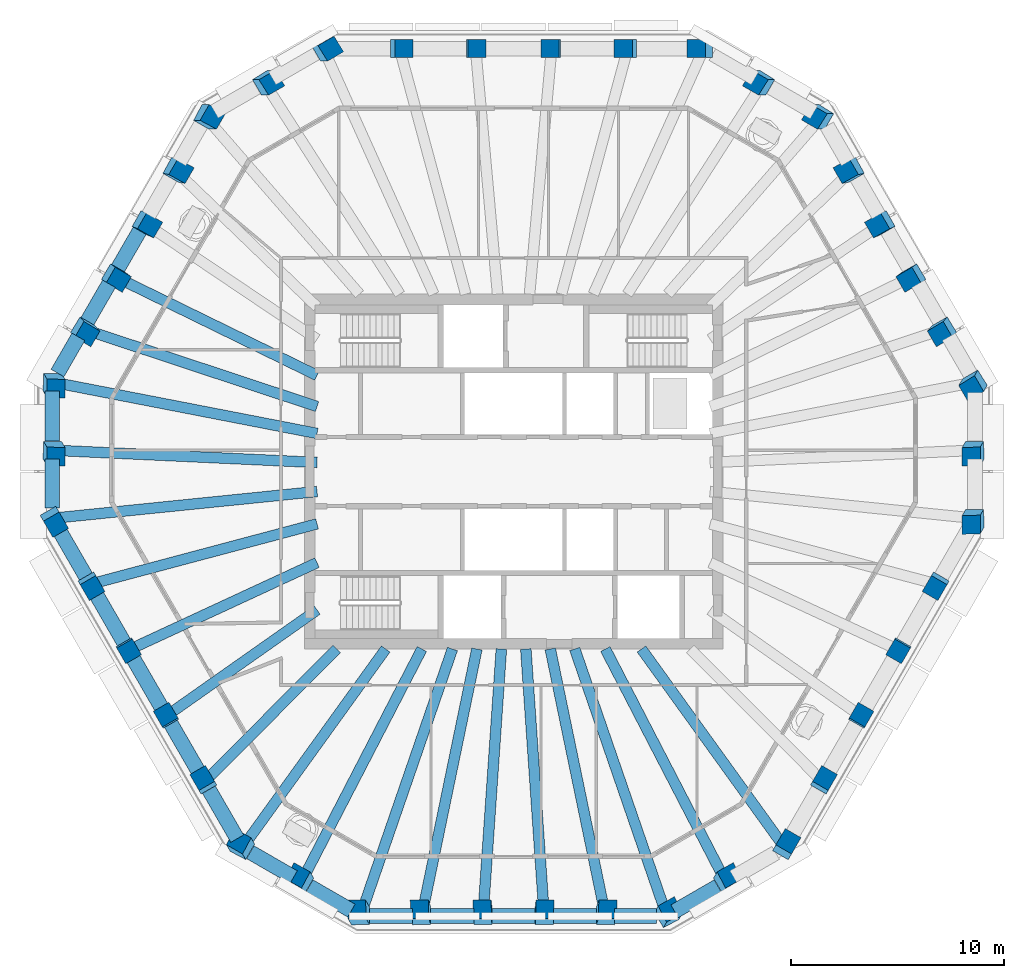
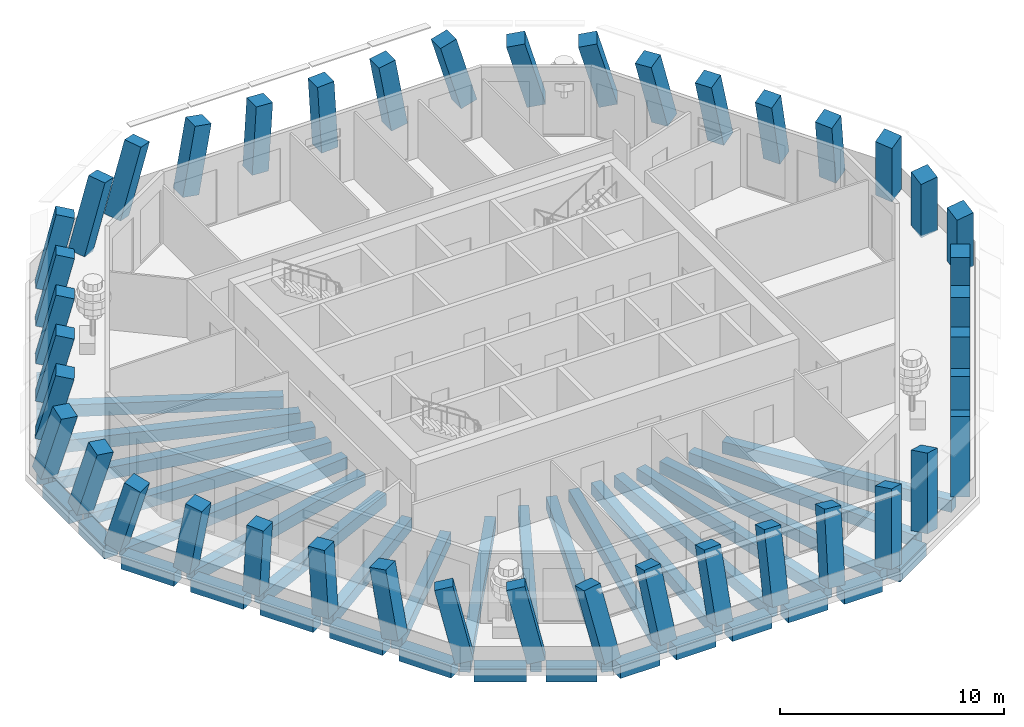
# One storey, part 1 of 11: 42 columns, 37 beams.
"""IFC4 building model written with IfcOpenShell, lengths in metres."""

from ifc_helpers import new_model, si_unit, direction, frame, origin, origin_2d, place, context, subcontext, project, spatial, rectangle, extrude, material, material_profile, profile_set, type_object, element, save


model = new_model("IFC4")

# Units and contexts
model_context = context("Model", 3, precision=1e-05, world=origin(), true_north=direction((0.0, 1.0)))
body_context = subcontext(model_context, "Body", "Model", "MODEL_VIEW")
ifc_project = project(units=[si_unit("LENGTHUNIT", "METRE"), si_unit("AREAUNIT", "SQUARE_METRE"), si_unit("VOLUMEUNIT", "CUBIC_METRE"), si_unit("PLANEANGLEUNIT", "RADIAN"), si_unit("MASSUNIT", "GRAM", prefix="KILO")], contexts=[model_context])

# Site, building, storey
site_placement = place(None, origin())
site = spatial("IfcSite", under=ifc_project, at=site_placement, CompositionType="ELEMENT")
building_placement = place(site_placement, origin())
building = spatial("IfcBuilding", under=site, at=building_placement, Name="Frailejon Research Tower", CompositionType="ELEMENT")
storey_placement = place(building_placement, frame((0.0, 0.0, 340.60009765625)))
storey = spatial("IfcBuildingStorey", under=building, at=storey_placement, Name="L76", CompositionType="ELEMENT", Elevation=340.60009765625)

# Columns
ifc_material_1 = material(Name="Concrete C50/60", Category="concrete")
ifc_material_profile_1 = material_profile(ifc_material_1, rectangle(XDim=0.85009765625, YDim=0.85009765625, at=origin_2d()), Name="Column 850")
ifc_profile_set_1 = profile_set([ifc_material_profile_1], Name="Concrete C50/60")
column_type = type_object("IfcColumnType", Name="Column 850", PredefinedType="COLUMN", material=ifc_profile_set_1)
for number, where, z_axis, x_axis, name in (
    (1, (21.7080078125, -2.200439453125, 0.0), (-0.139394569527, -0.241467367212, 0.960345075771), (-0.03470540323, 0.970408939672, 0.238960299613), "Column C01"),
    (2, (21.7080078125, 1.005615234375, 0.0), (-0.139394569527, -0.241467367212, 0.960345075771), (-0.034746856664, 0.970408938008, 0.238954282208), "Column C02"),
    (3, (21.7080078125, 4.211669921875, 0.0), (-0.139396731462, -0.241406874118, 0.960359970212), (-0.524507231238, 0.840607333971, 0.135172018012), "Column C03"),
):
    element("IfcColumn", number, at=place(storey_placement, frame(where, z_axis=z_axis, x_axis=x_axis)), inside=storey, type_object=column_type, Name=name, PredefinedType="COLUMN", context=body_context, shape_type="SweptSolid", body=[
        extrude(rectangle(XDim=0.85009765625, YDim=0.85009765625, at=origin_2d()), origin(), (0.0, 0.0, 1.0), 3.800537109375),
    ])
column_1_placement = place(storey_placement, frame((20.266845703125, 6.708251953125, 0.0), z_axis=(-0.168324221654, -0.194374398814, 0.966377539831), x_axis=(-0.515961120666, 0.852712582664, 0.081641737649)))
element("IfcColumn", 4, at=column_1_placement, inside=storey, type_object=column_type, Name="Column C04", PredefinedType="COLUMN", context=body_context, shape_type="SweptSolid", body=[
    extrude(rectangle(XDim=0.85009765625, YDim=0.85009765625, at=origin_2d()), origin(), (0.0, 0.0, 1.0), 3.77685546875),
])
for number, where, z_axis, x_axis, name in (
    (5, (18.825439453125, 9.20458984375, 0.0), (-0.197000056031, -0.146226177205, 0.969437405418), (-0.505734428726, 0.862257503303, 0.027288928126), "Column C05"),
    (6, (17.38427734375, 11.700927734375, 0.0), (-0.225143241166, -0.097462641553, 0.969438783245), (-0.49382176117, 0.869134278144, -0.027307045801), "Column C06"),
):
    element("IfcColumn", number, at=place(storey_placement, frame(where, z_axis=z_axis, x_axis=x_axis)), inside=storey, type_object=column_type, Name=name, PredefinedType="COLUMN", context=body_context, shape_type="SweptSolid", body=[
        extrude(rectangle(XDim=0.85009765625, YDim=0.85009765625, at=origin_2d()), origin(), (0.0, 0.0, 1.0), 3.764892578125),
    ])
column_2_placement = place(storey_placement, frame((15.94287109375, 14.197509765625, 0.0), z_axis=(-0.252547127831, -0.048609019741, 0.966362825974), x_axis=(-0.480492941598, 0.873189573072, -0.081648653102)))
element("IfcColumn", 7, at=column_2_placement, inside=storey, type_object=column_type, Name="Column C07", PredefinedType="COLUMN", context=body_context, shape_type="SweptSolid", body=[
    extrude(rectangle(XDim=0.85009765625, YDim=0.85009765625, at=origin_2d()), origin(), (0.0, 0.0, 1.0), 3.77685546875),
])
for number, where, z_axis, x_axis, name in (
    (8, (14.50146484375, 16.69384765625, 0.0), (-0.278791083821, 0.0, 0.960351774915), (-0.823063846999, 0.51524301755, -0.2389362606), "Column C08"),
    (9, (11.72509765625, 18.297119140625, 0.0), (-0.278850326975, 0.0, 0.960334574586), (-0.823049105558, 0.51524301755, -0.238987034597), "Column C09"),
    (10, (8.948486328125, 19.89990234375, 0.0), (-0.278791083821, 0.0, 0.960351774915), (-0.960351774915, 0.0, -0.278791083821), "Column C10"),
):
    element("IfcColumn", number, at=place(storey_placement, frame(where, z_axis=z_axis, x_axis=x_axis)), inside=storey, type_object=column_type, Name=name, PredefinedType="COLUMN", context=body_context, shape_type="SweptSolid", body=[
        extrude(rectangle(XDim=0.85009765625, YDim=0.85009765625, at=origin_2d()), origin(), (0.0, 0.0, 1.0), 3.800537109375),
    ])
column_3_placement = place(storey_placement, frame((5.369140625, 19.89990234375, 0.0), z_axis=(-0.171597020448, 0.0, 0.98516722569), x_axis=(-0.98516722569, 0.0, -0.171597020448)))
element("IfcColumn", 11, at=column_3_placement, inside=storey, type_object=column_type, Name="Column C11", PredefinedType="COLUMN", context=body_context, shape_type="SweptSolid", body=[
    extrude(rectangle(XDim=0.85009765625, YDim=0.85009765625, at=origin_2d()), origin(), (0.0, 0.0, 1.0), 3.704833984375),
])
for number, where, z_axis, x_axis, name in (
    (12, (1.789794921875, 19.89990234375, 0.0), (-0.058029139741, 0.0, 0.998314889672), (-0.998314889672, 0.0, -0.058029139741), "Column C12"),
    (13, (-1.789794921875, 19.89990234375, 0.0), (0.058029139741, 0.0, 0.998314889672), (-0.998314889672, 0.0, 0.058029139741), "Column C13"),
):
    element("IfcColumn", number, at=place(storey_placement, frame(where, z_axis=z_axis, x_axis=x_axis)), inside=storey, type_object=column_type, Name=name, PredefinedType="COLUMN", context=body_context, shape_type="SweptSolid", body=[
        extrude(rectangle(XDim=0.85009765625, YDim=0.85009765625, at=origin_2d()), origin(), (0.0, 0.0, 1.0), 3.656005859375),
    ])
column_4_placement = place(storey_placement, frame((-5.369140625, 19.89990234375, 0.0), z_axis=(0.171597020448, 0.0, 0.98516722569), x_axis=(-0.98516722569, 0.0, 0.171597020448)))
element("IfcColumn", 14, at=column_4_placement, inside=storey, type_object=column_type, Name="Column C14", PredefinedType="COLUMN", context=body_context, shape_type="SweptSolid", body=[
    extrude(rectangle(XDim=0.85009765625, YDim=0.85009765625, at=origin_2d()), origin(), (0.0, 0.0, 1.0), 3.704833984375),
])
for number, where, z_axis, x_axis, name in (
    (15, (-8.948486328125, 19.89990234375, 0.0), (0.278791083821, 0.0, 0.960351774915), (-0.823063846999, -0.51524301755, 0.2389362606), "Column C15"),
    (16, (-11.72509765625, 18.297119140625, 0.0), (0.278850326975, 0.0, 0.960334574586), (-0.823049105558, -0.51524301755, 0.238987034597), "Column C16"),
    (17, (-14.50146484375, 16.69384765625, 0.0), (0.278791083821, 0.0, 0.960351774915), (-0.46568453065, -0.874563855278, 0.13518868649), "Column C17"),
):
    element("IfcColumn", number, at=place(storey_placement, frame(where, z_axis=z_axis, x_axis=x_axis)), inside=storey, type_object=column_type, Name=name, PredefinedType="COLUMN", context=body_context, shape_type="SweptSolid", body=[
        extrude(rectangle(XDim=0.85009765625, YDim=0.85009765625, at=origin_2d()), origin(), (0.0, 0.0, 1.0), 3.800537109375),
    ])
column_5_placement = place(storey_placement, frame((-15.94287109375, 14.197509765625, 0.0), z_axis=(0.252547127831, -0.048609019741, 0.966362825974), x_axis=(-0.480492941598, -0.873189573072, 0.081648653102)))
element("IfcColumn", 18, at=column_5_placement, inside=storey, type_object=column_type, Name="Column C18", PredefinedType="COLUMN", context=body_context, shape_type="SweptSolid", body=[
    extrude(rectangle(XDim=0.85009765625, YDim=0.85009765625, at=origin_2d()), origin(), (0.0, 0.0, 1.0), 3.77685546875),
])
for number, where, z_axis, x_axis, name in (
    (19, (-17.38427734375, 11.700927734375, 0.0), (0.225143241166, -0.097462641553, 0.969438783245), (-0.49382176117, -0.869134278144, 0.027307045801), "Column C19"),
    (20, (-18.825439453125, 9.20458984375, 0.0), (0.197000056031, -0.146226177205, 0.969437405418), (-0.505734428726, -0.862257503303, -0.027288928126), "Column C20"),
):
    element("IfcColumn", number, at=place(storey_placement, frame(where, z_axis=z_axis, x_axis=x_axis)), inside=storey, type_object=column_type, Name=name, PredefinedType="COLUMN", context=body_context, shape_type="SweptSolid", body=[
        extrude(rectangle(XDim=0.85009765625, YDim=0.85009765625, at=origin_2d()), origin(), (0.0, 0.0, 1.0), 3.764892578125),
    ])
column_6_placement = place(storey_placement, frame((-20.266845703125, 6.708251953125, 0.0), z_axis=(0.168324221654, -0.194374398814, 0.966377539831), x_axis=(-0.515961120666, -0.852712582664, -0.081641737649)))
element("IfcColumn", 21, at=column_6_placement, inside=storey, type_object=column_type, Name="Column C21", PredefinedType="COLUMN", context=body_context, shape_type="SweptSolid", body=[
    extrude(rectangle(XDim=0.85009765625, YDim=0.85009765625, at=origin_2d()), origin(), (0.0, 0.0, 1.0), 3.77685546875),
])
for number, where, z_axis, x_axis, name in (
    (22, (-21.7080078125, 4.211669921875, 0.0), (0.139396731462, -0.241406874118, 0.960359970212), (-0.034628672675, -0.970423989238, -0.238910309823), "Column C22"),
    (23, (-21.7080078125, 1.005615234375, 0.0), (0.139394569527, -0.241467367212, 0.960345075771), (-0.034746856664, -0.970408938008, -0.238954282208), "Column C23"),
    (24, (-21.7080078125, -2.200439453125, 0.0), (0.139394569527, -0.241467367212, 0.960345075771), (0.480156655644, -0.831692401478, -0.278814159191), "Column C24"),
):
    element("IfcColumn", number, at=place(storey_placement, frame(where, z_axis=z_axis, x_axis=x_axis)), inside=storey, type_object=column_type, Name=name, PredefinedType="COLUMN", context=body_context, shape_type="SweptSolid", body=[
        extrude(rectangle(XDim=0.85009765625, YDim=0.85009765625, at=origin_2d()), origin(), (0.0, 0.0, 1.0), 3.800537109375),
    ])
column_7_placement = place(storey_placement, frame((-19.91845703125, -5.30029296875, 0.0), z_axis=(0.085798619576, -0.148598991662, 0.985168481305), x_axis=(0.492622189155, -0.85315902112, -0.171589811566)))
element("IfcColumn", 25, at=column_7_placement, inside=storey, type_object=column_type, Name="Column C25", PredefinedType="COLUMN", context=body_context, shape_type="SweptSolid", body=[
    extrude(rectangle(XDim=0.85009765625, YDim=0.85009765625, at=origin_2d()), origin(), (0.0, 0.0, 1.0), 3.704833984375),
])
for number, where, z_axis, x_axis, name in (
    (26, (-18.128662109375, -8.400146484375, 0.0), (0.028981362597, -0.050149777213, 0.998321130933), (0.49953101971, -0.864357472818, -0.0579216672), "Column C26"),
    (27, (-16.339111328125, -11.5, 0.0), (-0.028981265478, 0.050216386266, 0.998317785478), (0.499031153916, -0.864642300737, 0.057979299729), "Column C27"),
):
    element("IfcColumn", number, at=place(storey_placement, frame(where, z_axis=z_axis, x_axis=x_axis)), inside=storey, type_object=column_type, Name=name, PredefinedType="COLUMN", context=body_context, shape_type="SweptSolid", body=[
        extrude(rectangle(XDim=0.85009765625, YDim=0.85009765625, at=origin_2d()), origin(), (0.0, 0.0, 1.0), 3.656005859375),
    ])
column_8_placement = place(storey_placement, frame((-14.54931640625, -14.599609375, 0.0), z_axis=(-0.085799459569, 0.148534548285, 0.985178126383), x_axis=(0.492790890121, -0.853072728042, 0.171534425949)))
element("IfcColumn", 28, at=column_8_placement, inside=storey, type_object=column_type, Name="Column C28", PredefinedType="COLUMN", context=body_context, shape_type="SweptSolid", body=[
    extrude(rectangle(XDim=0.85009765625, YDim=0.85009765625, at=origin_2d()), origin(), (0.0, 0.0, 1.0), 3.704833984375),
])
for number, where, z_axis, x_axis, name in (
    (29, (-12.759765625, -17.69970703125, 0.0), (-0.139394569527, 0.241467367212, 0.960345075771), (0.857735421622, -0.455183738132, 0.238951273348), "Column C29"),
    (30, (-9.983154296875, -19.302490234375, 0.0), (-0.139396731462, 0.241406874118, 0.960359970212), (0.857770926129, -0.455136359145, 0.238914070058), "Column C30"),
    (31, (-7.20654296875, -20.905517578125, 0.0), (-0.139396731462, 0.241406874118, 0.960359970212), (0.990236612368, 0.034034784871, 0.13517797507), "Column C31"),
):
    element("IfcColumn", number, at=place(storey_placement, frame(where, z_axis=z_axis, x_axis=x_axis)), inside=storey, type_object=column_type, Name=name, PredefinedType="COLUMN", context=body_context, shape_type="SweptSolid", body=[
        extrude(rectangle(XDim=0.85009765625, YDim=0.85009765625, at=origin_2d()), origin(), (0.0, 0.0, 1.0), 3.800537109375),
    ])
column_9_placement = place(storey_placement, frame((-4.323974609375, -20.905517578125, 0.0), z_axis=(-0.084163007057, 0.242922104854, 0.966387830644), x_axis=(0.996451995946, 0.02060500287, 0.081601799193)))
element("IfcColumn", 32, at=column_9_placement, inside=storey, type_object=column_type, Name="Column C32", PredefinedType="COLUMN", context=body_context, shape_type="SweptSolid", body=[
    extrude(rectangle(XDim=0.85009765625, YDim=0.85009765625, at=origin_2d()), origin(), (0.0, 0.0, 1.0), 3.77685546875),
])
for number, where, z_axis, x_axis, name in (
    (33, (-1.44140625, -20.905517578125, 0.0), (-0.028078280528, 0.243690942785, 0.969446406238), (0.999605702584, 0.006629212228, 0.027285397302), "Column C33"),
    (34, (1.44140625, -20.905517578125, 0.0), (0.028078280528, 0.243690942785, 0.969446406238), (0.999605702584, -0.006629212228, -0.027285397302), "Column C34"),
):
    element("IfcColumn", number, at=place(storey_placement, frame(where, z_axis=z_axis, x_axis=x_axis)), inside=storey, type_object=column_type, Name=name, PredefinedType="COLUMN", context=body_context, shape_type="SweptSolid", body=[
        extrude(rectangle(XDim=0.85009765625, YDim=0.85009765625, at=origin_2d()), origin(), (0.0, 0.0, 1.0), 3.764892578125),
    ])
column_10_placement = place(storey_placement, frame((4.323974609375, -20.905517578125, 0.0), z_axis=(0.084163007057, 0.242922104854, 0.966387830644), x_axis=(0.996451995946, -0.02060500287, -0.081601799193)))
element("IfcColumn", 35, at=column_10_placement, inside=storey, type_object=column_type, Name="Column C35", PredefinedType="COLUMN", context=body_context, shape_type="SweptSolid", body=[
    extrude(rectangle(XDim=0.85009765625, YDim=0.85009765625, at=origin_2d()), origin(), (0.0, 0.0, 1.0), 3.77685546875),
])
for number, where, z_axis, x_axis, name in (
    (36, (7.20654296875, -20.905517578125, 0.0), (0.139396731462, 0.241406874118, 0.960359970212), (0.857770926129, 0.455136359145, -0.238914070058), "Column C36"),
    (37, (9.983154296875, -19.302490234375, 0.0), (0.139396731462, 0.241406874118, 0.960359970212), (0.857770926129, 0.455136359145, -0.238914070058), "Column C37"),
    (38, (12.759765625, -17.69970703125, 0.0), (0.139394569527, 0.241467367212, 0.960345075771), (0.480156655644, 0.831692401478, -0.278814159191), "Column C38"),
):
    element("IfcColumn", number, at=place(storey_placement, frame(where, z_axis=z_axis, x_axis=x_axis)), inside=storey, type_object=column_type, Name=name, PredefinedType="COLUMN", context=body_context, shape_type="SweptSolid", body=[
        extrude(rectangle(XDim=0.85009765625, YDim=0.85009765625, at=origin_2d()), origin(), (0.0, 0.0, 1.0), 3.800537109375),
    ])
column_11_placement = place(storey_placement, frame((14.54931640625, -14.599609375, 0.0), z_axis=(0.085799459569, 0.148534548285, 0.985178126383), x_axis=(0.492790890121, 0.853072728042, -0.171534425949)))
element("IfcColumn", 39, at=column_11_placement, inside=storey, type_object=column_type, Name="Column C39", PredefinedType="COLUMN", context=body_context, shape_type="SweptSolid", body=[
    extrude(rectangle(XDim=0.85009765625, YDim=0.85009765625, at=origin_2d()), origin(), (0.0, 0.0, 1.0), 3.704833984375),
])
for number, where, z_axis, x_axis, name in (
    (40, (16.339111328125, -11.5, 0.0), (0.028981265478, 0.050216386266, 0.998317785478), (0.499031153916, 0.864642300737, -0.057979299729), "Column C40"),
    (41, (18.128662109375, -8.400146484375, 0.0), (-0.028981362597, -0.050149777213, 0.998321130933), (0.49953101971, 0.864357472818, 0.0579216672), "Column C41"),
):
    element("IfcColumn", number, at=place(storey_placement, frame(where, z_axis=z_axis, x_axis=x_axis)), inside=storey, type_object=column_type, Name=name, PredefinedType="COLUMN", context=body_context, shape_type="SweptSolid", body=[
        extrude(rectangle(XDim=0.85009765625, YDim=0.85009765625, at=origin_2d()), origin(), (0.0, 0.0, 1.0), 3.656005859375),
    ])
column_12_placement = place(storey_placement, frame((19.91845703125, -5.30029296875, 0.0), z_axis=(-0.085798619576, -0.148598991662, 0.985168481305), x_axis=(0.492622189155, 0.85315902112, 0.171589811566)))
element("IfcColumn", 42, at=column_12_placement, inside=storey, type_object=column_type, Name="Column C42", PredefinedType="COLUMN", context=body_context, shape_type="SweptSolid", body=[
    extrude(rectangle(XDim=0.85009765625, YDim=0.85009765625, at=origin_2d()), origin(), (0.0, 0.0, 1.0), 3.704833984375),
])

# Beams
ifc_material_2 = material(Name="Concrete C60/75", Category="concrete")
ifc_material_profile_2 = material_profile(ifc_material_2, rectangle(XDim=0.5, YDim=0.64990234375, at=origin_2d()), Name="Girder 500x650")
ifc_profile_set_2 = profile_set([ifc_material_profile_2], Name="Concrete C60/75")
beam_type_1 = type_object("IfcBeamType", Name="Girder 500x650", PredefinedType="BEAM", material=ifc_profile_set_2)
beam_1_placement = place(storey_placement, frame((-18.577392578125, 9.08349609375, -0.625), z_axis=(0.898356524558, -0.439267065444, 0.0), x_axis=(0.439267065444, 0.898356524558, 0.0)))
element("IfcBeam", 43, at=beam_1_placement, inside=storey, type_object=beam_type_1, Name="Girder 500x650", PredefinedType="BEAM", context=body_context, shape_type="SweptSolid", body=[
    extrude(rectangle(XDim=0.5, YDim=0.64990234375, at=origin_2d()), origin(), (0.0, 0.0, 1.0), 10.3828125),
])
beam_2_placement = place(storey_placement, frame((-19.997314453125, 6.618896484375, -0.625), z_axis=(0.949351863334, -0.314214957606, 0.0), x_axis=(0.314214957606, 0.949351863334, 0.0)))
element("IfcBeam", 44, at=beam_2_placement, inside=storey, type_object=beam_type_1, Name="Girder 500x650", PredefinedType="BEAM", context=body_context, shape_type="SweptSolid", body=[
    extrude(rectangle(XDim=0.5, YDim=0.64990234375, at=origin_2d()), origin(), (0.0, 0.0, 1.0), 11.32080078125),
])
beam_3_placement = place(storey_placement, frame((-21.430419921875, 4.15771484375, -0.625), z_axis=(0.981696509787, -0.190451995715, 0.0), x_axis=(0.190451995715, 0.981696509787, 0.0)))
element("IfcBeam", 45, at=beam_3_placement, inside=storey, type_object=beam_type_1, Name="Girder 500x650", PredefinedType="BEAM", context=body_context, shape_type="SweptSolid", body=[
    extrude(rectangle(XDim=0.5, YDim=0.64990234375, at=origin_2d()), origin(), (0.0, 0.0, 1.0), 12.407470703125),
])
beam_4_placement = place(storey_placement, frame((-21.432861328125, 0.992919921875, -0.625), z_axis=(0.998928410003, -0.046282088213, 0.0), x_axis=(0.046282088213, 0.998928410003, 0.0)))
element("IfcBeam", 46, at=beam_4_placement, inside=storey, type_object=beam_type_1, Name="Girder 500x650", PredefinedType="BEAM", context=body_context, shape_type="SweptSolid", body=[
    extrude(rectangle(XDim=0.5, YDim=0.64990234375, at=origin_2d()), origin(), (0.0, 0.0, 1.0), 12.196044921875),
])
beam_5_placement = place(storey_placement, frame((-21.393798828125, -2.16845703125, -0.625), z_axis=(0.994901815135, 0.100848293197, 0.0), x_axis=(-0.100848293197, 0.994901815135, 0.0)))
element("IfcBeam", 47, at=beam_5_placement, inside=storey, type_object=beam_type_1, Name="Girder 500x650", PredefinedType="BEAM", context=body_context, shape_type="SweptSolid", body=[
    extrude(rectangle(XDim=0.5, YDim=0.64990234375, at=origin_2d()), origin(), (0.0, 0.0, 1.0), 12.2060546875),
])
beam_6_placement = place(storey_placement, frame((-19.637939453125, -5.2255859375, -0.625), z_axis=(0.966372769398, 0.257145232441, 0.0), x_axis=(-0.257145232441, 0.966372769398, 0.0)))
element("IfcBeam", 48, at=beam_6_placement, inside=storey, type_object=beam_type_1, Name="Girder 500x650", PredefinedType="BEAM", context=body_context, shape_type="SweptSolid", body=[
    extrude(rectangle(XDim=0.5, YDim=0.64990234375, at=origin_2d()), origin(), (0.0, 0.0, 1.0), 10.74951171875),
])
beam_7_placement = place(storey_placement, frame((-17.877685546875, -8.28369140625, -0.625), z_axis=(0.907336166903, 0.420405851803, 0.0), x_axis=(-0.420405851803, 0.907336166903, 0.0)))
element("IfcBeam", 49, at=beam_7_placement, inside=storey, type_object=beam_type_1, Name="Girder 500x650", PredefinedType="BEAM", context=body_context, shape_type="SweptSolid", body=[
    extrude(rectangle(XDim=0.5, YDim=0.64990234375, at=origin_2d()), origin(), (0.0, 0.0, 1.0), 9.5087890625),
])
beam_8_placement = place(storey_placement, frame((-16.11279296875, -11.340576171875, -0.625), z_axis=(0.817766863373, 0.575549613126, 0.0), x_axis=(-0.575549613126, 0.817766863373, 0.0)))
element("IfcBeam", 50, at=beam_8_placement, inside=storey, type_object=beam_type_1, Name="Girder 500x650", PredefinedType="BEAM", context=body_context, shape_type="SweptSolid", body=[
    extrude(rectangle(XDim=0.5, YDim=0.64990234375, at=origin_2d()), origin(), (0.0, 0.0, 1.0), 8.39208984375),
])
beam_9_placement = place(storey_placement, frame((-14.344482421875, -14.39404296875, -0.625), z_axis=(0.705889720306, 0.708321750877, 0.0), x_axis=(-0.708321750877, 0.705889720306, 0.0)))
element("IfcBeam", 51, at=beam_9_placement, inside=storey, type_object=beam_type_1, Name="Girder 500x650", PredefinedType="BEAM", context=body_context, shape_type="SweptSolid", body=[
    extrude(rectangle(XDim=0.5, YDim=0.64990234375, at=origin_2d()), origin(), (0.0, 0.0, 1.0), 8.53271484375),
])
beam_10_placement = place(storey_placement, frame((-12.59765625, -17.474853515625, -0.625), z_axis=(0.584790615226, 0.811184280139, 0.0), x_axis=(-0.811184280139, 0.584790615226, 0.0)))
element("IfcBeam", 52, at=beam_10_placement, inside=storey, type_object=beam_type_1, Name="Girder 500x650", PredefinedType="BEAM", context=body_context, shape_type="SweptSolid", body=[
    extrude(rectangle(XDim=0.5, YDim=0.64990234375, at=origin_2d()), origin(), (0.0, 0.0, 1.0), 11.248779296875),
])
beam_11_placement = place(storey_placement, frame((-9.856689453125, -19.057861328125, -0.625), z_axis=(0.459395922354, 0.888231606353, 0.0), x_axis=(-0.888231606353, 0.459395922354, 0.0)))
element("IfcBeam", 53, at=beam_11_placement, inside=storey, type_object=beam_type_1, Name="Girder 500x650", PredefinedType="BEAM", context=body_context, shape_type="SweptSolid", body=[
    extrude(rectangle(XDim=0.5, YDim=0.64990234375, at=origin_2d()), origin(), (0.0, 0.0, 1.0), 12.05517578125),
])
beam_12_placement = place(storey_placement, frame((-7.10888671875, -20.622314453125, -0.625), z_axis=(0.325899101885, 0.945404556468, 0.0), x_axis=(-0.945404556468, 0.325899101885, 0.0)))
element("IfcBeam", 54, at=beam_12_placement, inside=storey, type_object=beam_type_1, Name="Girder 500x650", PredefinedType="BEAM", context=body_context, shape_type="SweptSolid", body=[
    extrude(rectangle(XDim=0.5, YDim=0.64990234375, at=origin_2d()), origin(), (0.0, 0.0, 1.0), 12.98095703125),
])
beam_13_placement = place(storey_placement, frame((-4.2666015625, -20.62744140625, -0.625), z_axis=(0.202560528958, 0.979269744303, 0.0), x_axis=(-0.979269744303, 0.202560528958, 0.0)))
element("IfcBeam", 55, at=beam_13_placement, inside=storey, type_object=beam_type_1, Name="Girder 500x650", PredefinedType="BEAM", context=body_context, shape_type="SweptSolid", body=[
    extrude(rectangle(XDim=0.5, YDim=0.64990234375, at=origin_2d()), origin(), (0.0, 0.0, 1.0), 12.537353515625),
])
for number, where, z_axis, x_axis, name in (
    (56, (-1.42236328125, -20.630126953125, -0.625), (0.068784393553, 0.997631548821, 0.0), (-0.997631548821, 0.068784393553, 0.0), "Girder 500x650"),
    (57, (1.42236328125, -20.630126953125, -0.625), (-0.068784393553, 0.997631548821, 0.0), (-0.997631548821, -0.068784393553, 0.0), "Girder 500x650"),
):
    element("IfcBeam", number, at=place(storey_placement, frame(where, z_axis=z_axis, x_axis=x_axis)), inside=storey, type_object=beam_type_1, Name=name, PredefinedType="BEAM", context=body_context, shape_type="SweptSolid", body=[
        extrude(rectangle(XDim=0.5, YDim=0.64990234375, at=origin_2d()), origin(), (0.0, 0.0, 1.0), 12.30908203125),
    ])
beam_14_placement = place(storey_placement, frame((4.2666015625, -20.62744140625, -0.625), z_axis=(-0.202560528958, 0.979269744303, 0.0), x_axis=(-0.979269744303, -0.202560528958, 0.0)))
element("IfcBeam", 58, at=beam_14_placement, inside=storey, type_object=beam_type_1, Name="Girder 500x650", PredefinedType="BEAM", context=body_context, shape_type="SweptSolid", body=[
    extrude(rectangle(XDim=0.5, YDim=0.64990234375, at=origin_2d()), origin(), (0.0, 0.0, 1.0), 12.537353515625),
])
beam_15_placement = place(storey_placement, frame((7.114501953125, -20.63818359375, -0.625), z_axis=(-0.325909061574, 0.945401123113, 0.0), x_axis=(-0.945401123113, -0.325909061574, 0.0)))
element("IfcBeam", 59, at=beam_15_placement, inside=storey, type_object=beam_type_1, Name="Girder 500x650", PredefinedType="BEAM", context=body_context, shape_type="SweptSolid", body=[
    extrude(rectangle(XDim=0.5, YDim=0.64990234375, at=origin_2d()), origin(), (0.0, 0.0, 1.0), 12.997802734375),
])
beam_16_placement = place(storey_placement, frame((9.856689453125, -19.057861328125, -0.625), z_axis=(-0.459395922354, 0.888231606353, 0.0), x_axis=(-0.888231606353, -0.459395922354, 0.0)))
element("IfcBeam", 60, at=beam_16_placement, inside=storey, type_object=beam_type_1, Name="Girder 500x650", PredefinedType="BEAM", context=body_context, shape_type="SweptSolid", body=[
    extrude(rectangle(XDim=0.5, YDim=0.64990234375, at=origin_2d()), origin(), (0.0, 0.0, 1.0), 12.05517578125),
])
beam_17_placement = place(storey_placement, frame((12.574951171875, -17.443359375, -0.625), z_axis=(-0.584790577265, 0.811184307505, 0.0), x_axis=(-0.811184307505, -0.584790577265, 0.0)))
element("IfcBeam", 61, at=beam_17_placement, inside=storey, type_object=beam_type_1, Name="Girder 500x650", PredefinedType="BEAM", context=body_context, shape_type="SweptSolid", body=[
    extrude(rectangle(XDim=0.5, YDim=0.64990234375, at=origin_2d()), origin(), (0.0, 0.0, 1.0), 11.2099609375),
])
ifc_material_3 = material(Name="Concrete C60/75", Category="concrete")
ifc_material_profile_3 = material_profile(ifc_material_3, rectangle(XDim=0.699951171875, YDim=0.699951171875, at=origin_2d()), Name="Spandrel 700x700")
ifc_profile_set_3 = profile_set([ifc_material_profile_3], Name="Concrete C60/75")
beam_type_2 = type_object("IfcBeamType", Name="Spandrel 700x700", PredefinedType="BEAM", material=ifc_profile_set_3)
beam_18_placement = place(storey_placement, frame((-17.5966796875, 11.3330078125, -0.7001953125), z_axis=(-0.50002743572, -0.866009563185, 0.0), x_axis=(0.866009563185, -0.50002743572, 0.0)))
element("IfcBeam", 62, at=beam_18_placement, inside=storey, type_object=beam_type_2, Name="Spandrel 700x700", PredefinedType="BEAM", context=body_context, shape_type="SweptSolid", body=[
    extrude(rectangle(XDim=0.699951171875, YDim=0.699951171875, at=origin_2d()), origin(), (0.0, 0.0, 1.0), 2.03271484375),
])
beam_19_placement = place(storey_placement, frame((-19.0380859375, 8.83642578125, -0.7001953125), z_axis=(-0.499989360119, -0.866031546636, 0.0), x_axis=(0.866031546636, -0.499989360119, 0.0)))
element("IfcBeam", 63, at=beam_19_placement, inside=storey, type_object=beam_type_2, Name="Spandrel 700x700", PredefinedType="BEAM", context=body_context, shape_type="SweptSolid", body=[
    extrude(rectangle(XDim=0.699951171875, YDim=0.699951171875, at=origin_2d()), origin(), (0.0, 0.0, 1.0), 2.0322265625),
])
beam_20_placement = place(storey_placement, frame((-20.479248046875, 6.340087890625, -0.7001953125), z_axis=(-0.499983910424, -0.866034692906, 0.0), x_axis=(0.866034692906, -0.499983910424, 0.0)))
element("IfcBeam", 64, at=beam_20_placement, inside=storey, type_object=beam_type_2, Name="Spandrel 700x700", PredefinedType="BEAM", context=body_context, shape_type="SweptSolid", body=[
    extrude(rectangle(XDim=0.699951171875, YDim=0.699951171875, at=origin_2d()), origin(), (0.0, 0.0, 1.0), 1.966796875),
])
beam_21_placement = place(storey_placement, frame((-21.7080078125, 3.78662109375, -0.7001953125), z_axis=(0.0, -1.0, 0.0), x_axis=(1.0, 0.0, 0.0)))
element("IfcBeam", 65, at=beam_21_placement, inside=storey, type_object=beam_type_2, Name="Spandrel 700x700", PredefinedType="BEAM", context=body_context, shape_type="SweptSolid", body=[
    extrude(rectangle(XDim=0.699951171875, YDim=0.699951171875, at=origin_2d()), origin(), (0.0, 0.0, 1.0), 2.35595703125),
])
beam_22_placement = place(storey_placement, frame((-21.7080078125, 0.58056640625, -0.7001953125), z_axis=(0.0, -1.0, 0.0), x_axis=(1.0, 0.0, 0.0)))
element("IfcBeam", 66, at=beam_22_placement, inside=storey, type_object=beam_type_2, Name="Spandrel 700x700", PredefinedType="BEAM", context=body_context, shape_type="SweptSolid", body=[
    extrude(rectangle(XDim=0.699951171875, YDim=0.699951171875, at=origin_2d()), origin(), (0.0, 0.0, 1.0), 2.290283203125),
])
beam_23_placement = place(storey_placement, frame((-21.49560546875, -2.568603515625, -0.7001953125), z_axis=(0.500045086839, -0.865999371321, 0.0), x_axis=(0.865999371321, 0.500045086839, 0.0)))
element("IfcBeam", 67, at=beam_23_placement, inside=storey, type_object=beam_type_2, Name="Spandrel 700x700", PredefinedType="BEAM", context=body_context, shape_type="SweptSolid", body=[
    extrude(rectangle(XDim=0.699951171875, YDim=0.699951171875, at=origin_2d()), origin(), (0.0, 0.0, 1.0), 2.729248046875),
])
beam_24_placement = place(storey_placement, frame((-19.705810546875, -5.66845703125, -0.7001953125), z_axis=(0.499977996243, -0.866038107287, 0.0), x_axis=(0.866038107287, 0.499977996243, 0.0)))
element("IfcBeam", 68, at=beam_24_placement, inside=storey, type_object=beam_type_2, Name="Spandrel 700x700", PredefinedType="BEAM", context=body_context, shape_type="SweptSolid", body=[
    extrude(rectangle(XDim=0.699951171875, YDim=0.699951171875, at=origin_2d()), origin(), (0.0, 0.0, 1.0), 2.72900390625),
])
beam_25_placement = place(storey_placement, frame((-17.916259765625, -8.768310546875, -0.7001953125), z_axis=(0.500045086839, -0.865999371321, 0.0), x_axis=(0.865999371321, 0.500045086839, 0.0)))
element("IfcBeam", 69, at=beam_25_placement, inside=storey, type_object=beam_type_2, Name="Spandrel 700x700", PredefinedType="BEAM", context=body_context, shape_type="SweptSolid", body=[
    extrude(rectangle(XDim=0.699951171875, YDim=0.699951171875, at=origin_2d()), origin(), (0.0, 0.0, 1.0), 2.729248046875),
])
beam_26_placement = place(storey_placement, frame((-16.126708984375, -11.867919921875, -0.7001953125), z_axis=(0.500006352507, -0.866021736132, 0.0), x_axis=(0.866021736132, 0.500006352507, 0.0)))
element("IfcBeam", 70, at=beam_26_placement, inside=storey, type_object=beam_type_2, Name="Spandrel 700x700", PredefinedType="BEAM", context=body_context, shape_type="SweptSolid", body=[
    extrude(rectangle(XDim=0.699951171875, YDim=0.699951171875, at=origin_2d()), origin(), (0.0, 0.0, 1.0), 2.7294921875),
])
beam_27_placement = place(storey_placement, frame((-14.3369140625, -14.9677734375, -0.7001953125), z_axis=(0.499973693163, -0.866040591511, 0.0), x_axis=(0.866040591511, 0.499973693163, 0.0)))
element("IfcBeam", 71, at=beam_27_placement, inside=storey, type_object=beam_type_2, Name="Spandrel 700x700", PredefinedType="BEAM", context=body_context, shape_type="SweptSolid", body=[
    extrude(rectangle(XDim=0.699951171875, YDim=0.699951171875, at=origin_2d()), origin(), (0.0, 0.0, 1.0), 2.663818359375),
])
beam_28_placement = place(storey_placement, frame((-12.3916015625, -17.912109375, -0.7001953125), z_axis=(0.866021643438, -0.500006513054, 0.0), x_axis=(0.500006513054, 0.866021643438, 0.0)))
element("IfcBeam", 72, at=beam_28_placement, inside=storey, type_object=beam_type_2, Name="Spandrel 700x700", PredefinedType="BEAM", context=body_context, shape_type="SweptSolid", body=[
    extrude(rectangle(XDim=0.699951171875, YDim=0.699951171875, at=origin_2d()), origin(), (0.0, 0.0, 1.0), 2.35595703125),
])
beam_29_placement = place(storey_placement, frame((-9.614990234375, -19.51513671875, -0.7001953125), z_axis=(0.866043571379, -0.499968531483, 0.0), x_axis=(0.499968531483, 0.866043571379, 0.0)))
element("IfcBeam", 73, at=beam_29_placement, inside=storey, type_object=beam_type_2, Name="Spandrel 700x700", PredefinedType="BEAM", context=body_context, shape_type="SweptSolid", body=[
    extrude(rectangle(XDim=0.699951171875, YDim=0.699951171875, at=origin_2d()), origin(), (0.0, 0.0, 1.0), 2.290283203125),
])
beam_30_placement = place(storey_placement, frame((-6.781494140625, -20.905517578125, -0.7001953125), z_axis=(1.0, 0.0, 0.0), x_axis=(0.0, 1.0, 0.0)))
element("IfcBeam", 74, at=beam_30_placement, inside=storey, type_object=beam_type_2, Name="Spandrel 700x700", PredefinedType="BEAM", context=body_context, shape_type="SweptSolid", body=[
    extrude(rectangle(XDim=0.699951171875, YDim=0.699951171875, at=origin_2d()), origin(), (0.0, 0.0, 1.0), 2.032470703125),
])
for number, where, z_axis, x_axis, name in (
    (75, (-3.89892578125, -20.905517578125, -0.7001953125), (1.0, 0.0, 0.0), (0.0, 1.0, 0.0), "Spandrel 700x700"),
    (76, (-1.016357421875, -20.905517578125, -0.7001953125), (1.0, 0.0, 0.0), (0.0, 1.0, 0.0), "Spandrel 700x700"),
    (77, (1.8662109375, -20.905517578125, -0.7001953125), (1.0, 0.0, 0.0), (0.0, 1.0, 0.0), "Spandrel 700x700"),
):
    element("IfcBeam", number, at=place(storey_placement, frame(where, z_axis=z_axis, x_axis=x_axis)), inside=storey, type_object=beam_type_2, Name=name, PredefinedType="BEAM", context=body_context, shape_type="SweptSolid", body=[
        extrude(rectangle(XDim=0.699951171875, YDim=0.699951171875, at=origin_2d()), origin(), (0.0, 0.0, 1.0), 2.03271484375),
    ])
beam_31_placement = place(storey_placement, frame((4.7490234375, -20.905517578125, -0.7001953125), z_axis=(1.0, 0.0, 0.0), x_axis=(0.0, 1.0, 0.0)))
element("IfcBeam", 78, at=beam_31_placement, inside=storey, type_object=beam_type_2, Name="Spandrel 700x700", PredefinedType="BEAM", context=body_context, shape_type="SweptSolid", body=[
    extrude(rectangle(XDim=0.699951171875, YDim=0.699951171875, at=origin_2d()), origin(), (0.0, 0.0, 1.0), 1.966796875),
])
beam_32_placement = place(storey_placement, frame((7.57470703125, -20.693115234375, -0.7001953125), z_axis=(0.866021643438, 0.500006513054, 0.0), x_axis=(-0.500006513054, 0.866021643438, 0.0)))
element("IfcBeam", 79, at=beam_32_placement, inside=storey, type_object=beam_type_2, Name="Spandrel 700x700", PredefinedType="BEAM", context=body_context, shape_type="SweptSolid", body=[
    extrude(rectangle(XDim=0.699951171875, YDim=0.699951171875, at=origin_2d()), origin(), (0.0, 0.0, 1.0), 2.35595703125),
])

save(model, "model.ifc")
